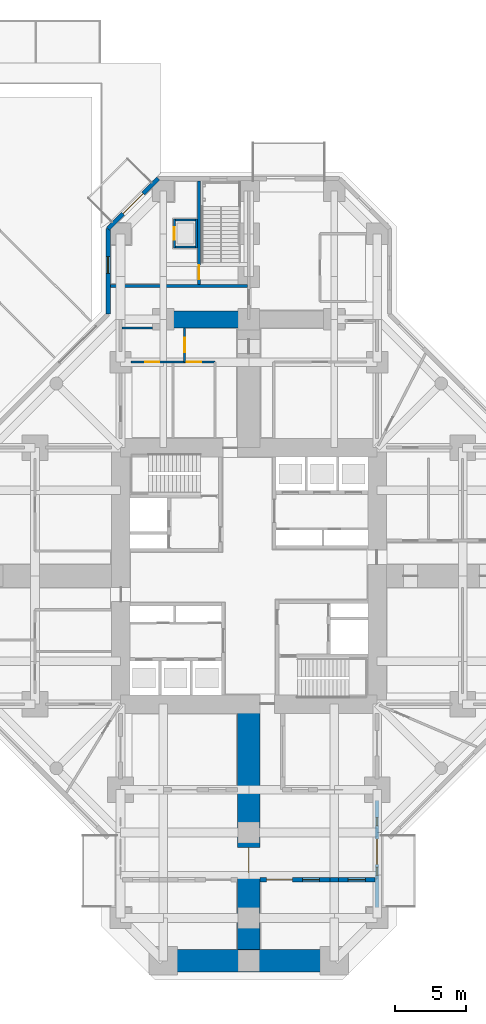
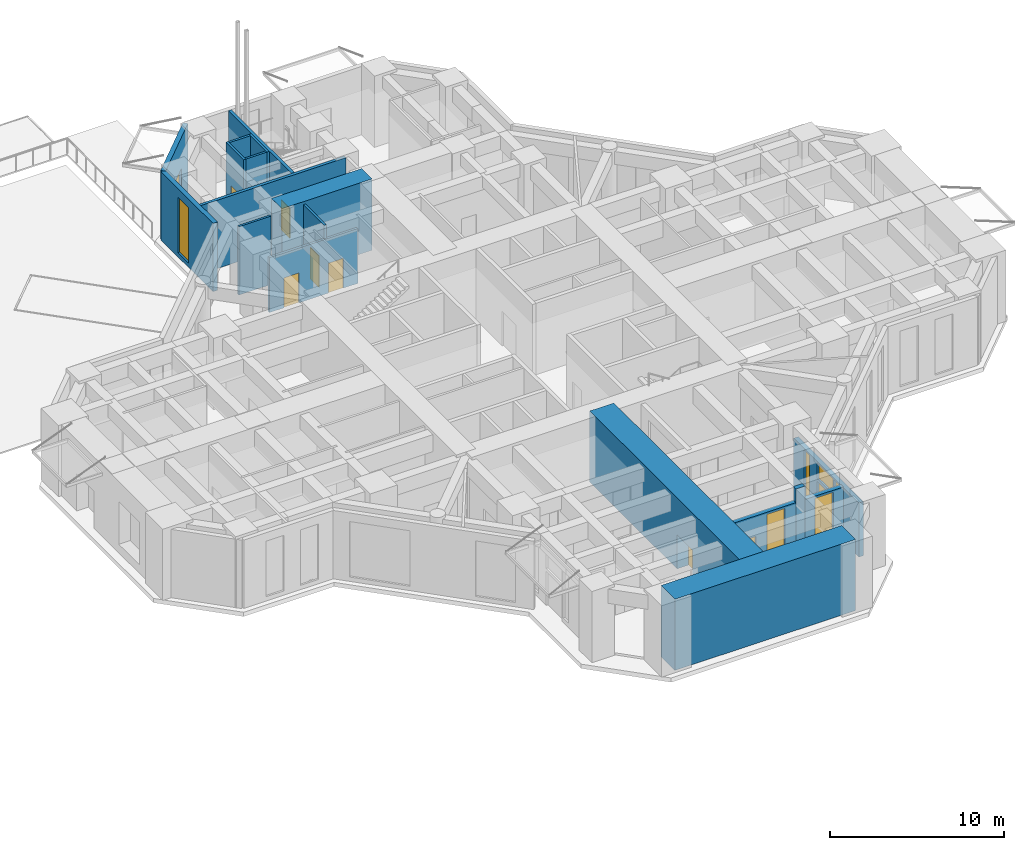
# One storey, part 7 of 14: 18 walls, 9 doors, 6 windows, 15 openings.
"""IFC4 building model written with IfcOpenShell, lengths in metres."""

from ifc_helpers import new_model, si_unit, direction, frame, frame_2d, origin, place, context, subcontext, project, spatial, rectangle, hollow_rectangle, extrude, material, layer, layer_set, constituent, constituent_set, type_object, element, fill, save


model = new_model("IFC4")

# Units and contexts
model_context = context("Model", 3, precision=1e-05, world=origin(), true_north=direction((0.0, 1.0)))
body_context = subcontext(model_context, "Body", "Model", "MODEL_VIEW")
ifc_project = project(units=[si_unit("LENGTHUNIT", "METRE"), si_unit("AREAUNIT", "SQUARE_METRE"), si_unit("VOLUMEUNIT", "CUBIC_METRE"), si_unit("PLANEANGLEUNIT", "RADIAN"), si_unit("MASSUNIT", "GRAM", prefix="KILO")], contexts=[model_context])

# Site, building, storey
site_placement = place(None, origin())
site = spatial("IfcSite", under=ifc_project, at=site_placement, CompositionType="ELEMENT")
building_placement = place(site_placement, origin())
building = spatial("IfcBuilding", under=site, at=building_placement, Name="Torre Cruceta", CompositionType="ELEMENT")
storey_placement = place(building_placement, origin())
storey = spatial("IfcBuildingStorey", under=building, at=storey_placement, Name="L00", CompositionType="ELEMENT", Elevation=0.0)

# Wall, openings, door, window
ifc_material_1 = material(Name="Concrete G30 (fck 30 MPa)", Category="concrete")
ifc_layer_1 = layer(ifc_material_1, 0.300048828125)
ifc_layer_set_1 = layer_set([ifc_layer_1], Name="Concrete G30 (fck 30 MPa)")
wall_type_1 = type_object("IfcWallType", Name="CONCOURSE FRONT WALL 300", PredefinedType="SOLIDWALL", material=ifc_layer_set_1)
wall_1_placement = place(storey_placement, frame((0.800048828125, -21.320068359375, 0.0), z_axis=(0.0, 0.0, 1.0), x_axis=(1.0, 0.0, 0.0)))
wall_1 = element("IfcWall", 1, at=wall_1_placement, inside=storey, type_object=wall_type_1, Name="EW3 L00-S-TWL", PredefinedType="SOLIDWALL", context=body_context, shape_type="SweptSolid", body=[
    extrude(rectangle(XDim=4.89990234375, YDim=0.300048828125, at=frame_2d((2.449951171875, 0.0))), origin(), (0.0, 0.0, 1.0), 3.85009765625),
])
opening_1_placement = place(wall_1_placement, frame((0.449951171875, 0.0, 0.0)))
opening_1 = element("IfcOpeningElement", 2, at=opening_1_placement, cuts=wall_1, Name="Opening D13", PredefinedType="OPENING", context=body_context, shape_type="SweptSolid", body=[
    extrude(rectangle(XDim=1.800048828125, YDim=2.39990234375, at=frame_2d((0.89990234375, 1.199951171875))), frame((0.0, 0.159912109375, 0.0), z_axis=(0.0, -1.0, 0.0), x_axis=(1.0, 0.0, 0.0)), (0.0, 0.0, 1.0), 0.320068359375),
])
opening_2_placement = place(wall_1_placement, frame((2.97509765625, 0.0, 0.300048828125)))
opening_2 = element("IfcOpeningElement", 3, at=opening_2_placement, cuts=wall_1, Name="Opening SF6", PredefinedType="OPENING", context=body_context, shape_type="SweptSolid", body=[
    extrude(rectangle(XDim=1.199951171875, YDim=3.39990234375, at=frame_2d((0.60009765625, 1.699951171875))), frame((0.0, 0.159912109375, 0.0), z_axis=(0.0, -1.0, 0.0), x_axis=(1.0, 0.0, 0.0)), (0.0, 0.0, 1.0), 0.320068359375),
])
ifc_material_2 = material(Name="Aluminium 6063-T6", Category="aluminium")
ifc_constituent_1 = constituent(ifc_material_2, Name="Frame")
ifc_material_3 = material(Name="Laminated safety glass", Category="glass")
ifc_constituent_2 = constituent(ifc_material_3, Name="Glazing")
ifc_constituent_set_1 = constituent_set(constituents=[ifc_constituent_1, ifc_constituent_2], Name="Aluminium glazed door")
door_type_1 = type_object("IfcDoorType", Name="CONCOURSE ENTRANCE DOOR 1800X2400", OperationType="DOUBLE_DOOR_DOUBLE_SWING", PredefinedType="DOOR", material=ifc_constituent_set_1)
door_1_placement = place(opening_1_placement, origin())
door_1 = element("IfcDoor", 4, at=door_1_placement, inside=storey, type_object=door_type_1, Name="D13 L00-S-TWL-D1", OperationType="DOUBLE_DOOR_DOUBLE_SWING", OverallHeight=2.39990234375, OverallWidth=1.800048828125, PredefinedType="DOOR", context=body_context, shape_type="SweptSolid", body=[
    extrude(hollow_rectangle(XDim=1.800048828125, YDim=2.39990234375, WallThickness=0.06005859375, at=frame_2d((0.89990234375, 1.199951171875))), frame((0.0, 0.02490234375, 0.0), z_axis=(0.0, -1.0, 0.0), x_axis=(1.0, 0.0, 0.0)), (0.0, 0.0, 1.0), 0.050048828125),
    extrude(rectangle(XDim=1.678955078125, YDim=2.27880859375, at=frame_2d((0.89990234375, 1.199951171875))), frame((0.0, 0.02490234375, 0.0), z_axis=(0.0, -1.0, 0.0), x_axis=(1.0, 0.0, 0.0)), (0.0, 0.0, 1.0), 0.050048828125),
])
fill(opening_1, door_1)
ifc_material_4 = material(Name="Aluminium window frame", Category="aluminium")
ifc_constituent_3 = constituent(ifc_material_4, Name="Frame")
ifc_material_5 = material(Name="Laminated insulating glass unit, low-iron clear", Category="glass")
ifc_constituent_4 = constituent(ifc_material_5, Name="Glazing")
ifc_constituent_set_2 = constituent_set(constituents=[ifc_constituent_3, ifc_constituent_4], Name="Aluminium window")
window_type_1 = type_object("IfcWindowType", Name="SHOPFRONT WINDOW 1200X3400", PartitioningType="SINGLE_PANEL", PredefinedType="WINDOW", material=ifc_constituent_set_2)
window_1_placement = place(opening_2_placement, origin())
window_1 = element("IfcWindow", 5, at=window_1_placement, inside=storey, type_object=window_type_1, Name="SF6 L00 L00-S-TWL 1", OverallHeight=3.39990234375, OverallWidth=1.199951171875, PartitioningType="SINGLE_PANEL", PredefinedType="WINDOW", context=body_context, shape_type="SweptSolid", body=[
    extrude(hollow_rectangle(XDim=1.199951171875, YDim=3.39990234375, WallThickness=0.06005859375, at=frame_2d((0.60009765625, 1.699951171875))), frame((0.0, 0.030029296875, 0.0), z_axis=(0.0, -1.0, 0.0), x_axis=(1.0, 0.0, 0.0)), (0.0, 0.0, 1.0), 0.06005859375),
    extrude(rectangle(XDim=1.078857421875, YDim=3.27880859375, at=frame_2d((0.60009765625, 1.699951171875))), frame((0.0, 0.030029296875, 0.0), z_axis=(0.0, -1.0, 0.0), x_axis=(1.0, 0.0, 0.0)), (0.0, 0.0, 1.0), 0.06005859375),
])
fill(opening_2, window_1)

# Wall
wall_2_placement = place(storey_placement, frame((5.699951171875, -21.320068359375, 0.0), z_axis=(0.0, 0.0, 1.0), x_axis=(1.0, 0.0, 0.0)))
element("IfcWall", 6, at=wall_2_placement, inside=storey, type_object=wall_type_1, Name="EW3 L00-S-TWL 2", PredefinedType="SOLIDWALL", context=body_context, shape_type="SweptSolid", body=[
    extrude(rectangle(XDim=0.60009765625, YDim=0.300048828125, at=frame_2d((0.300048828125, 0.0))), origin(), (0.0, 0.0, 1.0), 4.800048828125),
])

# Wall, opening, window
wall_3_placement = place(storey_placement, frame((6.300048828125, -21.320068359375, 0.0), z_axis=(0.0, 0.0, 1.0), x_axis=(1.0, 0.0, 0.0)))
wall_3 = element("IfcWall", 7, at=wall_3_placement, inside=storey, type_object=wall_type_1, Name="EW3 L00-S-TWL 3", PredefinedType="SOLIDWALL", context=body_context, shape_type="SweptSolid", body=[
    extrude(rectangle(XDim=2.550048828125, YDim=0.300048828125, at=frame_2d((1.27490234375, 0.0))), origin(), (0.0, 0.0, 1.0), 3.85009765625),
])
opening_3_placement = place(wall_3_placement, frame((0.675048828125, 0.0, 0.300048828125)))
opening_3 = element("IfcOpeningElement", 8, at=opening_3_placement, cuts=wall_3, Name="Opening SF6", PredefinedType="OPENING", context=body_context, shape_type="SweptSolid", body=[
    extrude(rectangle(XDim=1.199951171875, YDim=3.39990234375, at=frame_2d((0.60009765625, 1.699951171875))), frame((0.0, 0.159912109375, 0.0), z_axis=(0.0, -1.0, 0.0), x_axis=(1.0, 0.0, 0.0)), (0.0, 0.0, 1.0), 0.320068359375),
])
window_2_placement = place(opening_3_placement, origin())
window_2 = element("IfcWindow", 9, at=window_2_placement, inside=storey, type_object=window_type_1, Name="SF6 L00 L00-S-TWL-S3 1", OverallHeight=3.39990234375, OverallWidth=1.199951171875, PartitioningType="SINGLE_PANEL", PredefinedType="WINDOW", context=body_context, shape_type="SweptSolid", body=[
    extrude(hollow_rectangle(XDim=1.199951171875, YDim=3.39990234375, WallThickness=0.06005859375, at=frame_2d((0.60009765625, 1.699951171875))), frame((0.0, 0.030029296875, 0.0), z_axis=(0.0, -1.0, 0.0), x_axis=(1.0, 0.0, 0.0)), (0.0, 0.0, 1.0), 0.06005859375),
    extrude(rectangle(XDim=1.078857421875, YDim=3.27880859375, at=frame_2d((0.60009765625, 1.699951171875))), frame((0.0, 0.030029296875, 0.0), z_axis=(0.0, -1.0, 0.0), x_axis=(1.0, 0.0, 0.0)), (0.0, 0.0, 1.0), 0.06005859375),
])
fill(opening_3, window_2)

# Wall, openings, door, windows
wall_4_placement = place(storey_placement, frame((9.0, -15.75, 0.0), z_axis=(0.0, 0.0, 1.0), x_axis=(0.0, -1.0, 0.0)))
wall_4 = element("IfcWall", 10, at=wall_4_placement, inside=storey, type_object=wall_type_1, Name="EW3 L00-WING-S-A2", PredefinedType="SOLIDWALL", context=body_context, shape_type="SweptSolid", body=[
    extrude(rectangle(XDim=7.5, YDim=0.300048828125, at=frame_2d((3.75, 0.0))), origin(), (0.0, 0.0, 1.0), 3.800048828125),
])
opening_4_placement = place(wall_4_placement, frame((2.699951171875, 0.0, 0.0)))
opening_4 = element("IfcOpeningElement", 11, at=opening_4_placement, cuts=wall_4, Name="Opening D13", PredefinedType="OPENING", context=body_context, shape_type="SweptSolid", body=[
    extrude(rectangle(XDim=1.800048828125, YDim=2.39990234375, at=frame_2d((0.89990234375, 1.199951171875))), frame((0.0, 0.159912109375, 0.0), z_axis=(0.0, -1.0, 0.0), x_axis=(1.0, 0.0, 0.0)), (0.0, 0.0, 1.0), 0.320068359375),
])
opening_5_placement = place(wall_4_placement, frame((1.21240234375, 0.0, 0.300048828125)))
opening_5 = element("IfcOpeningElement", 12, at=opening_5_placement, cuts=wall_4, Name="Opening SF4", PredefinedType="OPENING", context=body_context, shape_type="SweptSolid", body=[
    extrude(rectangle(XDim=0.60009765625, YDim=3.39990234375, at=frame_2d((0.300048828125, 1.699951171875))), frame((0.0, 0.159912109375, 0.0), z_axis=(0.0, -1.0, 0.0), x_axis=(1.0, 0.0, 0.0)), (0.0, 0.0, 1.0), 0.320068359375),
])
opening_6_placement = place(wall_4_placement, frame((4.659912109375, 0.0, 0.300048828125)))
opening_6 = element("IfcOpeningElement", 13, at=opening_6_placement, cuts=wall_4, Name="Opening SF4", PredefinedType="OPENING", context=body_context, shape_type="SweptSolid", body=[
    extrude(rectangle(XDim=0.60009765625, YDim=3.39990234375, at=frame_2d((0.300048828125, 1.699951171875))), frame((0.0, 0.159912109375, 0.0), z_axis=(0.0, -1.0, 0.0), x_axis=(1.0, 0.0, 0.0)), (0.0, 0.0, 1.0), 0.320068359375),
])
opening_7_placement = place(wall_4_placement, frame((2.699951171875, 0.0, 2.60009765625)))
opening_7 = element("IfcOpeningElement", 14, at=opening_7_placement, cuts=wall_4, Name="Opening SF5", PredefinedType="OPENING", context=body_context, shape_type="SweptSolid", body=[
    extrude(rectangle(XDim=1.800048828125, YDim=1.10009765625, at=frame_2d((0.89990234375, 0.550048828125))), frame((0.0, 0.159912109375, 0.0), z_axis=(0.0, -1.0, 0.0), x_axis=(1.0, 0.0, 0.0)), (0.0, 0.0, 1.0), 0.320068359375),
])
door_2_placement = place(opening_4_placement, origin())
door_2 = element("IfcDoor", 15, at=door_2_placement, inside=storey, type_object=door_type_1, Name="D13 L00-WING-S-A2-D1", OperationType="DOUBLE_DOOR_DOUBLE_SWING", OverallHeight=2.39990234375, OverallWidth=1.800048828125, PredefinedType="DOOR", context=body_context, shape_type="SweptSolid", body=[
    extrude(hollow_rectangle(XDim=1.800048828125, YDim=2.39990234375, WallThickness=0.06005859375, at=frame_2d((0.89990234375, 1.199951171875))), frame((0.0, 0.02490234375, 0.0), z_axis=(0.0, -1.0, 0.0), x_axis=(1.0, 0.0, 0.0)), (0.0, 0.0, 1.0), 0.050048828125),
    extrude(rectangle(XDim=1.678955078125, YDim=2.27880859375, at=frame_2d((0.89990234375, 1.199951171875))), frame((0.0, 0.02490234375, 0.0), z_axis=(0.0, -1.0, 0.0), x_axis=(1.0, 0.0, 0.0)), (0.0, 0.0, 1.0), 0.050048828125),
])
fill(opening_4, door_2)
ifc_material_6 = material(Name="Aluminium window frame", Category="aluminium")
ifc_constituent_5 = constituent(ifc_material_6, Name="Frame")
ifc_material_7 = material(Name="Laminated insulating glass unit, low-iron clear", Category="glass")
ifc_constituent_6 = constituent(ifc_material_7, Name="Glazing")
ifc_constituent_set_3 = constituent_set(constituents=[ifc_constituent_5, ifc_constituent_6], Name="Aluminium window")
window_type_2 = type_object("IfcWindowType", Name="SHOPFRONT SIDELIGHT 600X3400", PartitioningType="SINGLE_PANEL", PredefinedType="WINDOW", material=ifc_constituent_set_3)
window_3_placement = place(opening_5_placement, origin())
window_3 = element("IfcWindow", 16, at=window_3_placement, inside=storey, type_object=window_type_2, Name="SF4 L00 L00-WING-S-A2 1", OverallHeight=3.39990234375, OverallWidth=0.60009765625, PartitioningType="SINGLE_PANEL", PredefinedType="WINDOW", context=body_context, shape_type="SweptSolid", body=[
    extrude(hollow_rectangle(XDim=0.60009765625, YDim=3.39990234375, WallThickness=0.06005859375, at=frame_2d((0.300048828125, 1.699951171875))), frame((0.0, 0.030029296875, 0.0), z_axis=(0.0, -1.0, 0.0), x_axis=(1.0, 0.0, 0.0)), (0.0, 0.0, 1.0), 0.06005859375),
    extrude(rectangle(XDim=0.47900390625, YDim=3.27880859375, at=frame_2d((0.300048828125, 1.699951171875))), frame((0.0, 0.030029296875, 0.0), z_axis=(0.0, -1.0, 0.0), x_axis=(1.0, 0.0, 0.0)), (0.0, 0.0, 1.0), 0.06005859375),
])
fill(opening_5, window_3)
window_4_placement = place(opening_6_placement, origin())
window_4 = element("IfcWindow", 17, at=window_4_placement, inside=storey, type_object=window_type_2, Name="SF4 L00 L00-WING-S-A2 2", OverallHeight=3.39990234375, OverallWidth=0.60009765625, PartitioningType="SINGLE_PANEL", PredefinedType="WINDOW", context=body_context, shape_type="SweptSolid", body=[
    extrude(hollow_rectangle(XDim=0.60009765625, YDim=3.39990234375, WallThickness=0.06005859375, at=frame_2d((0.300048828125, 1.699951171875))), frame((0.0, 0.030029296875, 0.0), z_axis=(0.0, -1.0, 0.0), x_axis=(1.0, 0.0, 0.0)), (0.0, 0.0, 1.0), 0.06005859375),
    extrude(rectangle(XDim=0.47900390625, YDim=3.27880859375, at=frame_2d((0.300048828125, 1.699951171875))), frame((0.0, 0.030029296875, 0.0), z_axis=(0.0, -1.0, 0.0), x_axis=(1.0, 0.0, 0.0)), (0.0, 0.0, 1.0), 0.06005859375),
])
fill(opening_6, window_4)
ifc_material_8 = material(Name="Aluminium window frame", Category="aluminium")
ifc_constituent_7 = constituent(ifc_material_8, Name="Frame")
ifc_material_9 = material(Name="Laminated insulating glass unit, low-iron clear", Category="glass")
ifc_constituent_8 = constituent(ifc_material_9, Name="Glazing")
ifc_constituent_set_4 = constituent_set(constituents=[ifc_constituent_7, ifc_constituent_8], Name="Aluminium window")
window_type_3 = type_object("IfcWindowType", Name="SHOPFRONT TRANSOM LIGHT 1800X1100", PartitioningType="SINGLE_PANEL", PredefinedType="WINDOW", material=ifc_constituent_set_4)
window_5_placement = place(opening_7_placement, origin())
window_5 = element("IfcWindow", 18, at=window_5_placement, inside=storey, type_object=window_type_3, Name="SF5 L00 L00-WING-S-A2 3", OverallHeight=1.10009765625, OverallWidth=1.800048828125, PartitioningType="SINGLE_PANEL", PredefinedType="WINDOW", context=body_context, shape_type="SweptSolid", body=[
    extrude(hollow_rectangle(XDim=1.800048828125, YDim=1.10009765625, WallThickness=0.06005859375, at=frame_2d((0.89990234375, 0.550048828125))), frame((0.0, 0.030029296875, 0.0), z_axis=(0.0, -1.0, 0.0), x_axis=(1.0, 0.0, 0.0)), (0.0, 0.0, 1.0), 0.06005859375),
    extrude(rectangle(XDim=1.678955078125, YDim=0.97900390625, at=frame_2d((0.89990234375, 0.550048828125))), frame((0.0, 0.030029296875, 0.0), z_axis=(0.0, -1.0, 0.0), x_axis=(1.0, 0.0, 0.0)), (0.0, 0.0, 1.0), 0.06005859375),
])
fill(opening_7, window_5)

# Wall
ifc_material_10 = material(Name="Concrete G60 (fck 60 MPa)", Category="concrete")
ifc_layer_2 = layer(ifc_material_10, 1.199951171875)
ifc_layer_set_2 = layer_set([ifc_layer_2], Name="Concrete G60 (fck 60 MPa)")
wall_type_2 = type_object("IfcWallType", Name="CROSS WALL 1200 G60", PredefinedType="SHEAR", material=ifc_layer_set_2)
wall_5_placement = place(storey_placement, frame((0.0, 18.0, 0.0), z_axis=(0.0, 0.0, 1.0), x_axis=(-1.0, 0.0, 0.0)))
element("IfcWall", 19, at=wall_5_placement, inside=storey, type_object=wall_type_2, Name="XW1 cross wall L00 N L", PredefinedType="SHEAR", context=body_context, shape_type="SweptSolid", body=[
    extrude(rectangle(XDim=6.0, YDim=1.199951171875, at=frame_2d((3.0, 0.0))), origin(), (0.0, 0.0, 1.0), 5.0),
])

# Wall, opening, door
ifc_material_11 = material(Name="Concrete G30 (fck 30 MPa)", Category="concrete")
ifc_layer_3 = layer(ifc_material_11, 0.300048828125)
ifc_layer_set_3 = layer_set([ifc_layer_3], Name="Concrete G30 (fck 30 MPa)")
wall_type_3 = type_object("IfcWallType", Name="EXPOSED CONCRETE FACADE WALL 300", PredefinedType="SOLIDWALL", material=ifc_layer_set_3)
wall_6_placement = place(storey_placement, frame((-6.3603515625, 27.8701171875, 0.0), z_axis=(0.0, 0.0, 1.0), x_axis=(-0.707106781187, -0.707106781187, 0.0)))
wall_6 = element("IfcWall", 20, at=wall_6_placement, inside=storey, type_object=wall_type_3, Name="EW1 facade wall L00 N chamfer 09", PredefinedType="SOLIDWALL", context=body_context, shape_type="SweptSolid", body=[
    extrude(rectangle(XDim=4.963623046875, YDim=0.300048828125, at=frame_2d((2.48193359375, 0.0))), origin(), (0.0, 0.0, 1.0), 4.800048828125),
])
opening_8_placement = place(wall_6_placement, frame((1.481689453125, 0.0, 0.0)))
opening_8 = element("IfcOpeningElement", 21, at=opening_8_placement, cuts=wall_6, Name="Opening D9", PredefinedType="OPENING", context=body_context, shape_type="SweptSolid", body=[
    extrude(rectangle(XDim=2.0, YDim=2.60009765625, at=frame_2d((1.0, 1.300048828125))), frame((0.0, 0.159912109375, 0.0), z_axis=(0.0, -1.0, 0.0), x_axis=(1.0, 0.0, 0.0)), (0.0, 0.0, 1.0), 0.320068359375),
])
ifc_material_12 = material(Name="Aluminium door frame", Category="aluminium")
ifc_constituent_9 = constituent(ifc_material_12, Name="Frame")
ifc_material_13 = material(Name="Laminated safety glass", Category="glass")
ifc_constituent_10 = constituent(ifc_material_13, Name="Glazing")
ifc_constituent_set_5 = constituent_set(constituents=[ifc_constituent_9, ifc_constituent_10], Name="Aluminium glazed door")
door_type_2 = type_object("IfcDoorType", Name="ENTRANCE DOUBLE DOOR 2000X2600", OperationType="DOUBLE_DOOR_DOUBLE_SWING", PredefinedType="DOOR", material=ifc_constituent_set_5)
door_3_placement = place(opening_8_placement, origin())
door_3 = element("IfcDoor", 22, at=door_3_placement, inside=storey, type_object=door_type_2, Name="D9 school entrance double door L00 N", OperationType="DOUBLE_DOOR_DOUBLE_SWING", OverallHeight=2.60009765625, OverallWidth=2.0, PredefinedType="DOOR", context=body_context, shape_type="SweptSolid", body=[
    extrude(hollow_rectangle(XDim=2.0, YDim=2.60009765625, WallThickness=0.06005859375, at=frame_2d((1.0, 1.300048828125))), frame((0.0, 0.02490234375, 0.0), z_axis=(0.0, -1.0, 0.0), x_axis=(1.0, 0.0, 0.0)), (0.0, 0.0, 1.0), 0.050048828125),
    extrude(rectangle(XDim=1.87890625, YDim=2.47900390625, at=frame_2d((1.0, 1.300048828125))), frame((0.0, 0.02490234375, 0.0), z_axis=(0.0, -1.0, 0.0), x_axis=(1.0, 0.0, 0.0)), (0.0, 0.0, 1.0), 0.050048828125),
])
fill(opening_8, door_3)

# Wall, opening, window
wall_7_placement = place(storey_placement, frame((-9.8701171875, 24.3603515625, 0.0), z_axis=(0.0, 0.0, 1.0), x_axis=(0.0, -1.0, 0.0)))
wall_7 = element("IfcWall", 23, at=wall_7_placement, inside=storey, type_object=wall_type_3, Name="EW1 facade wall L00 N side 10", PredefinedType="SOLIDWALL", context=body_context, shape_type="SweptSolid", body=[
    extrude(rectangle(XDim=6.0, YDim=0.300048828125, at=frame_2d((3.0, 0.0))), origin(), (0.0, 0.0, 1.0), 4.800048828125),
])
opening_9_placement = place(wall_7_placement, frame((1.96044921875, 0.0, 0.300048828125)))
opening_9 = element("IfcOpeningElement", 24, at=opening_9_placement, cuts=wall_7, Name="Opening SF3", PredefinedType="OPENING", context=body_context, shape_type="SweptSolid", body=[
    extrude(rectangle(XDim=1.199951171875, YDim=3.89990234375, at=frame_2d((0.60009765625, 1.949951171875))), frame((0.0, 0.159912109375, 0.0), z_axis=(0.0, -1.0, 0.0), x_axis=(1.0, 0.0, 0.0)), (0.0, 0.0, 1.0), 0.320068359375),
])
ifc_material_14 = material(Name="Aluminium window frame", Category="aluminium")
ifc_constituent_11 = constituent(ifc_material_14, Name="Frame")
ifc_material_15 = material(Name="Laminated insulating glass unit, low-iron clear", Category="glass")
ifc_constituent_12 = constituent(ifc_material_15, Name="Glazing")
ifc_constituent_set_6 = constituent_set(constituents=[ifc_constituent_11, ifc_constituent_12], Name="Aluminium window")
window_type_4 = type_object("IfcWindowType", Name="SHOPFRONT WINDOW 1200X3900", PartitioningType="SINGLE_PANEL", PredefinedType="WINDOW", material=ifc_constituent_set_6)
window_6_placement = place(opening_9_placement, origin())
window_6 = element("IfcWindow", 25, at=window_6_placement, inside=storey, type_object=window_type_4, Name="SF3 L00 N 1", OverallHeight=3.89990234375, OverallWidth=1.199951171875, PartitioningType="SINGLE_PANEL", PredefinedType="WINDOW", context=body_context, shape_type="SweptSolid", body=[
    extrude(hollow_rectangle(XDim=1.199951171875, YDim=3.89990234375, WallThickness=0.06005859375, at=frame_2d((0.60009765625, 1.949951171875))), frame((0.0, 0.030029296875, 0.0), z_axis=(0.0, -1.0, 0.0), x_axis=(1.0, 0.0, 0.0)), (0.0, 0.0, 1.0), 0.06005859375),
    extrude(rectangle(XDim=1.078857421875, YDim=3.77880859375, at=frame_2d((0.60009765625, 1.949951171875))), frame((0.0, 0.030029296875, 0.0), z_axis=(0.0, -1.0, 0.0), x_axis=(1.0, 0.0, 0.0)), (0.0, 0.0, 1.0), 0.06005859375),
])
fill(opening_9, window_6)

# Wall
ifc_material_16 = material(Name="Concrete block masonry", Category="masonry")
ifc_layer_4 = layer(ifc_material_16, 0.14990234375)
ifc_layer_set_4 = layer_set([ifc_layer_4], Name="Concrete block masonry")
wall_type_4 = type_object("IfcWallType", Name="LIFT SHAFT WALL 150", PredefinedType="PARTITIONING", material=ifc_layer_set_4)
wall_8_placement = place(storey_placement, frame((-3.675048828125, 23.0, 0.0), z_axis=(0.0, 0.0, 1.0), x_axis=(0.0, 1.0, 0.0)))
element("IfcWall", 26, at=wall_8_placement, inside=storey, type_object=wall_type_4, Name="PT7 L00-N-LS1A", PredefinedType="PARTITIONING", context=body_context, shape_type="SweptSolid", body=[
    extrude(rectangle(XDim=2.050048828125, YDim=0.14990234375, at=frame_2d((1.02490234375, 0.0))), origin(), (0.0, 0.0, 1.0), 4.800048828125),
])

# Wall, opening, door
wall_9_placement = place(storey_placement, frame((-5.22509765625, 23.0, 0.0), z_axis=(0.0, 0.0, 1.0), x_axis=(0.0, 1.0, 0.0)))
wall_9 = element("IfcWall", 27, at=wall_9_placement, inside=storey, type_object=wall_type_4, Name="PT7 L00-N-LS1B", PredefinedType="PARTITIONING", context=body_context, shape_type="SweptSolid", body=[
    extrude(rectangle(XDim=2.050048828125, YDim=0.14990234375, at=frame_2d((1.02490234375, 0.0))), origin(), (0.0, 0.0, 1.0), 4.800048828125),
])
opening_10_placement = place(wall_9_placement, frame((0.574951171875, 0.0, 0.0)))
opening_10 = element("IfcOpeningElement", 28, at=opening_10_placement, cuts=wall_9, Name="Opening LD2", PredefinedType="OPENING", context=body_context, shape_type="SweptSolid", body=[
    extrude(rectangle(XDim=0.89990234375, YDim=2.10009765625, at=frame_2d((0.449951171875, 1.050048828125))), frame((0.0, 0.0849609375, 0.0), z_axis=(0.0, -1.0, 0.0), x_axis=(1.0, 0.0, 0.0)), (0.0, 0.0, 1.0), 0.169921875),
])
ifc_material_17 = material(Name="Stainless steel 1.4401", Category="steel")
door_type_3 = type_object("IfcDoorType", Name="PLATFORM LIFT LANDING DOOR 900X2100", OperationType="DOUBLE_DOOR_SLIDING", PredefinedType="DOOR", material=ifc_material_17)
door_4_placement = place(opening_10_placement, origin())
door_4 = element("IfcDoor", 29, at=door_4_placement, inside=storey, type_object=door_type_3, Name="LD2 L00-N-LS1B-D1", OperationType="DOUBLE_DOOR_SLIDING", OverallHeight=2.10009765625, OverallWidth=0.89990234375, PredefinedType="DOOR", context=body_context, shape_type="SweptSolid", body=[
    extrude(rectangle(XDim=0.89990234375, YDim=2.10009765625, at=frame_2d((0.449951171875, 1.050048828125))), frame((0.0, 0.02490234375, 0.0), z_axis=(0.0, -1.0, 0.0), x_axis=(1.0, 0.0, 0.0)), (0.0, 0.0, 1.0), 0.050048828125),
])
fill(opening_10, door_4)

# Walls
for number, where, z_axis, x_axis, name in (
    (30, (-3.75, 23.074951171875, 0.0), (0.0, 0.0, 1.0), (-1.0, 0.0, 0.0), "PT7 L00-N-LS1C"),
    (31, (-3.75, 24.97509765625, 0.0), (0.0, 0.0, 1.0), (-1.0, 0.0, 0.0), "PT7 L00-N-LS1D"),
):
    element("IfcWall", number, at=place(storey_placement, frame(where, z_axis=z_axis, x_axis=x_axis)), inside=storey, type_object=wall_type_4, Name=name, PredefinedType="PARTITIONING", context=body_context, shape_type="SweptSolid", body=[
        extrude(rectangle(XDim=1.39990234375, YDim=0.14990234375, at=frame_2d((0.699951171875, 0.0))), origin(), (0.0, 0.0, 1.0), 4.800048828125),
    ])
ifc_material_18 = material(Name="Concrete G60 (fck 60 MPa)", Category="concrete")
ifc_layer_5 = layer(ifc_material_18, 1.60009765625)
ifc_layer_set_5 = layer_set([ifc_layer_5], Name="Concrete G60 (fck 60 MPa)")
wall_type_5 = type_object("IfcWallType", Name="NOSE WALL 1600 G60", PredefinedType="SHEAR", material=ifc_layer_set_5)
wall_10_placement = place(storey_placement, frame((-6.0, -27.0, 0.0), z_axis=(0.0, 0.0, 1.0), x_axis=(1.0, 0.0, 0.0)))
element("IfcWall", 32, at=wall_10_placement, inside=storey, type_object=wall_type_5, Name="NW0 nose wall L00 S", PredefinedType="SHEAR", context=body_context, shape_type="SweptSolid", body=[
    extrude(rectangle(XDim=12.0, YDim=1.60009765625, at=frame_2d((6.0, 0.0))), origin(), (0.0, 0.0, 1.0), 5.0),
])

# Wall, openings, doors
ifc_material_19 = material(Name="Plasterboard on steel studs", Category="steel")
ifc_layer_6 = layer(ifc_material_19, 0.14990234375)
ifc_layer_set_6 = layer_set([ifc_layer_6], Name="Plasterboard on steel studs")
wall_type_6 = type_object("IfcWallType", Name="PARTITION 150", PredefinedType="PARTITIONING", material=ifc_layer_set_6)
wall_11_placement = place(storey_placement, frame((-2.375, 15.0, 0.0), z_axis=(0.0, 0.0, 1.0), x_axis=(-1.0, 0.0, 0.0)))
wall_11 = element("IfcWall", 33, at=wall_11_placement, inside=storey, type_object=wall_type_6, Name="PT1 L00-N-BFL", PredefinedType="PARTITIONING", context=body_context, shape_type="SweptSolid", body=[
    extrude(rectangle(XDim=5.875, YDim=0.14990234375, at=frame_2d((2.9375, 0.0))), origin(), (0.0, 0.0, 1.0), 3.85009765625),
])
opening_11_placement = place(wall_11_placement, frame((0.96875, 0.0, 0.0)))
opening_11 = element("IfcOpeningElement", 34, at=opening_11_placement, cuts=wall_11, Name="Opening D3", PredefinedType="OPENING", context=body_context, shape_type="SweptSolid", body=[
    extrude(rectangle(XDim=1.0, YDim=2.10009765625, at=frame_2d((0.5, 1.050048828125))), frame((0.0, 0.0849609375, 0.0), z_axis=(0.0, -1.0, 0.0), x_axis=(1.0, 0.0, 0.0)), (0.0, 0.0, 1.0), 0.169921875),
])
opening_12_placement = place(wall_11_placement, frame((3.90625, 0.0, 0.0)))
opening_12 = element("IfcOpeningElement", 35, at=opening_12_placement, cuts=wall_11, Name="Opening D3", PredefinedType="OPENING", context=body_context, shape_type="SweptSolid", body=[
    extrude(rectangle(XDim=1.0, YDim=2.10009765625, at=frame_2d((0.5, 1.050048828125))), frame((0.0, 0.0849609375, 0.0), z_axis=(0.0, -1.0, 0.0), x_axis=(1.0, 0.0, 0.0)), (0.0, 0.0, 1.0), 0.169921875),
])
ifc_material_20 = material(Name="Steel DX51D", Category="steel")
ifc_constituent_13 = constituent(ifc_material_20, Name="Leaf and frame")
ifc_material_21 = material(Name="Polyester powder coating", Category="paint")
ifc_constituent_14 = constituent(ifc_material_21, Name="Finish")
ifc_constituent_set_7 = constituent_set(constituents=[ifc_constituent_13, ifc_constituent_14], Name="Steel fire door")
door_type_4 = type_object("IfcDoorType", Name="FIRE DOOR 1000X2100", OperationType="SINGLE_SWING_LEFT", PredefinedType="DOOR", material=ifc_constituent_set_7)
door_5_placement = place(opening_11_placement, origin())
door_5 = element("IfcDoor", 36, at=door_5_placement, inside=storey, type_object=door_type_4, Name="D3 L00-N-BFL-D1", OperationType="SINGLE_SWING_LEFT", OverallHeight=2.10009765625, OverallWidth=1.0, PredefinedType="DOOR", context=body_context, shape_type="SweptSolid", body=[
    extrude(rectangle(XDim=1.0, YDim=2.10009765625, at=frame_2d((0.5, 1.050048828125))), frame((0.0, 0.02490234375, 0.0), z_axis=(0.0, -1.0, 0.0), x_axis=(1.0, 0.0, 0.0)), (0.0, 0.0, 1.0), 0.050048828125),
])
fill(opening_11, door_5)
door_6_placement = place(opening_12_placement, frame((1.0, 0.0, 0.0), z_axis=(0.0, 0.0, 1.0), x_axis=(-1.0, 0.0, 0.0)))
door_6 = element("IfcDoor", 37, at=door_6_placement, inside=storey, type_object=door_type_4, Name="D3 L00-N-BFL-D2", OperationType="SINGLE_SWING_RIGHT", OverallHeight=2.10009765625, OverallWidth=1.0, PredefinedType="DOOR", context=body_context, shape_type="SweptSolid", body=[
    extrude(rectangle(XDim=1.0, YDim=2.10009765625, at=frame_2d((0.5, 1.050048828125))), frame((0.0, 0.025146484375, 0.0), z_axis=(0.0, -1.0, 0.0), x_axis=(1.0, 0.0, 0.0)), (0.0, 0.0, 1.0), 0.050048828125),
])
fill(opening_12, door_6)

# Wall, opening, door
wall_12_placement = place(storey_placement, frame((-4.5, 15.0, 0.0), z_axis=(0.0, 0.0, 1.0), x_axis=(0.0, 1.0, 0.0)))
wall_12 = element("IfcWall", 38, at=wall_12_placement, inside=storey, type_object=wall_type_6, Name="PT1 L00-N-SRW", PredefinedType="PARTITIONING", context=body_context, shape_type="SweptSolid", body=[
    extrude(rectangle(XDim=2.39990234375, YDim=0.14990234375, at=frame_2d((1.199951171875, 0.0))), origin(), (0.0, 0.0, 1.0), 4.800048828125),
])
opening_13_placement = place(wall_12_placement, frame((0.699951171875, 0.0, 0.0)))
opening_13 = element("IfcOpeningElement", 39, at=opening_13_placement, cuts=wall_12, Name="Opening D14", PredefinedType="OPENING", context=body_context, shape_type="SweptSolid", body=[
    extrude(rectangle(XDim=1.0, YDim=2.199951171875, at=frame_2d((0.5, 1.10009765625))), frame((0.0, 0.0849609375, 0.0), z_axis=(0.0, -1.0, 0.0), x_axis=(1.0, 0.0, 0.0)), (0.0, 0.0, 1.0), 0.169921875),
])
ifc_material_22 = material(Name="Steel DX51D", Category="steel")
ifc_constituent_15 = constituent(ifc_material_22, Name="Leaf and frame")
ifc_material_23 = material(Name="Polyester powder coating", Category="paint")
ifc_constituent_16 = constituent(ifc_material_23, Name="Finish")
ifc_material_24 = material(Name="Fire-resisting glass", Category="glass")
ifc_constituent_17 = constituent(ifc_material_24, Name="Vision panel")
ifc_constituent_set_8 = constituent_set(constituents=[ifc_constituent_15, ifc_constituent_16, ifc_constituent_17], Name="Steel fire door with vision panel")
door_type_5 = type_object("IfcDoorType", Name="FIRE DOOR VISION PANEL 1000X2200", OperationType="SINGLE_SWING_RIGHT", PredefinedType="DOOR", material=ifc_constituent_set_8)
door_7_placement = place(opening_13_placement, origin())
door_7 = element("IfcDoor", 40, at=door_7_placement, inside=storey, type_object=door_type_5, Name="D14 L00-N-SRW-D1", OperationType="SINGLE_SWING_LEFT", OverallHeight=2.199951171875, OverallWidth=1.0, PredefinedType="DOOR", context=body_context, shape_type="SweptSolid", body=[
    extrude(rectangle(XDim=1.0, YDim=2.199951171875, at=frame_2d((0.5, 1.10009765625))), frame((0.0, 0.02490234375, 0.0), z_axis=(0.0, -1.0, 0.0), x_axis=(1.0, 0.0, 0.0)), (0.0, 0.0, 1.0), 0.050048828125),
])
fill(opening_13, door_7)

# Wall
wall_13_placement = place(storey_placement, frame((-6.75, 17.39990234375, 0.0), z_axis=(0.0, 0.0, 1.0), x_axis=(-1.0, 0.0, 0.0)))
element("IfcWall", 41, at=wall_13_placement, inside=storey, type_object=wall_type_6, Name="PT1 L00-N-SRN", PredefinedType="PARTITIONING", context=body_context, shape_type="SweptSolid", body=[
    extrude(rectangle(XDim=2.14990234375, YDim=0.14990234375, at=frame_2d((1.074951171875, 0.0))), origin(), (0.0, 0.0, 1.0), 4.800048828125),
])

# Wall, opening, door
ifc_material_25 = material(Name="Concrete G60 (fck 60 MPa)", Category="concrete")
ifc_layer_7 = layer(ifc_material_25, 1.60009765625)
ifc_layer_set_7 = layer_set([ifc_layer_7], Name="Concrete G60 (fck 60 MPa)")
wall_type_7 = type_object("IfcWallType", Name="SPINE WALL 1600 G60", PredefinedType="SHEAR", material=ifc_layer_set_7)
wall_14_placement = place(storey_placement, frame((0.0, -9.0, 0.0), z_axis=(0.0, 0.0, 1.0), x_axis=(0.0, -1.0, 0.0)))
wall_14 = element("IfcWall", 42, at=wall_14_placement, inside=storey, type_object=wall_type_7, Name="SW2 spine wall L00 S", PredefinedType="SHEAR", context=body_context, shape_type="SweptSolid", body=[
    extrude(rectangle(XDim=18.0, YDim=1.60009765625, at=frame_2d((9.0, 0.0))), origin(), (0.0, 0.0, 1.0), 5.0),
])
opening_14_placement = place(wall_14_placement, frame((10.050048828125, 0.0, 0.0)))
opening_14 = element("IfcOpeningElement", 43, at=opening_14_placement, cuts=wall_14, Name="Opening D13", PredefinedType="OPENING", context=body_context, shape_type="SweptSolid", body=[
    extrude(rectangle(XDim=1.800048828125, YDim=2.39990234375, at=frame_2d((0.89990234375, 1.199951171875))), frame((0.0, 0.81005859375, 0.0), z_axis=(0.0, -1.0, 0.0), x_axis=(1.0, 0.0, 0.0)), (0.0, 0.0, 1.0), 1.6201171875),
])
door_8_placement = place(opening_14_placement, origin())
door_8 = element("IfcDoor", 44, at=door_8_placement, inside=storey, type_object=door_type_1, Name="D13 L00-S-SP1", OperationType="DOUBLE_DOOR_DOUBLE_SWING", OverallHeight=2.39990234375, OverallWidth=1.800048828125, PredefinedType="DOOR", context=body_context, shape_type="SweptSolid", body=[
    extrude(hollow_rectangle(XDim=1.800048828125, YDim=2.39990234375, WallThickness=0.06005859375, at=frame_2d((0.89990234375, 1.199951171875))), frame((0.0, 0.02490234375, 0.0), z_axis=(0.0, -1.0, 0.0), x_axis=(1.0, 0.0, 0.0)), (0.0, 0.0, 1.0), 0.050048828125),
    extrude(rectangle(XDim=1.678955078125, YDim=2.27880859375, at=frame_2d((0.89990234375, 1.199951171875))), frame((0.0, 0.02490234375, 0.0), z_axis=(0.0, -1.0, 0.0), x_axis=(1.0, 0.0, 0.0)), (0.0, 0.0, 1.0), 0.050048828125),
])
fill(opening_14, door_8)

# Wall
ifc_material_26 = material(Name="Concrete G25 (fck 25 MPa)", Category="concrete")
ifc_layer_8 = layer(ifc_material_26, 0.199951171875)
ifc_layer_set_8 = layer_set([ifc_layer_8], Name="Concrete G25 (fck 25 MPa)")
wall_type_8 = type_object("IfcWallType", Name="UNIT SEPARATING WALL 200", PredefinedType="SOLIDWALL", material=ifc_layer_set_8)
wall_15_placement = place(storey_placement, frame((-0.10009765625, 20.35009765625, 0.0), z_axis=(0.0, 0.0, 1.0), x_axis=(-1.0, 0.0, 0.0)))
element("IfcWall", 45, at=wall_15_placement, inside=storey, type_object=wall_type_8, Name="PT2 L00-N-SB1", PredefinedType="SOLIDWALL", context=body_context, shape_type="SweptSolid", body=[
    extrude(rectangle(XDim=9.619873046875, YDim=0.199951171875, at=frame_2d((4.81005859375, 0.0))), origin(), (0.0, 0.0, 1.0), 4.800048828125),
])

# Wall, opening, door
wall_16_placement = place(storey_placement, frame((-3.5, 20.449951171875, 0.0), z_axis=(0.0, 0.0, 1.0), x_axis=(0.0, 1.0, 0.0)))
wall_16 = element("IfcWall", 46, at=wall_16_placement, inside=storey, type_object=wall_type_8, Name="PT2 L00-N-ST3W", PredefinedType="SOLIDWALL", context=body_context, shape_type="SweptSolid", body=[
    extrude(rectangle(XDim=7.27001953125, YDim=0.199951171875, at=frame_2d((3.635009765625, 0.0))), origin(), (0.0, 0.0, 1.0), 4.800048828125),
])
opening_15_placement = place(wall_16_placement, frame((0.35009765625, 0.0, 0.0)))
opening_15 = element("IfcOpeningElement", 47, at=opening_15_placement, cuts=wall_16, Name="Opening D3", PredefinedType="OPENING", context=body_context, shape_type="SweptSolid", body=[
    extrude(rectangle(XDim=1.0, YDim=2.10009765625, at=frame_2d((0.5, 1.050048828125))), frame((0.0, 0.10986328125, 0.0), z_axis=(0.0, -1.0, 0.0), x_axis=(1.0, 0.0, 0.0)), (0.0, 0.0, 1.0), 0.219970703125),
])
door_9_placement = place(opening_15_placement, frame((1.0, 0.0, 0.0), z_axis=(0.0, 0.0, 1.0), x_axis=(-1.0, 0.0, 0.0)))
door_9 = element("IfcDoor", 48, at=door_9_placement, inside=storey, type_object=door_type_4, Name="D3 L00-N-ST3W-D1", OperationType="SINGLE_SWING_RIGHT", OverallHeight=2.10009765625, OverallWidth=1.0, PredefinedType="DOOR", context=body_context, shape_type="SweptSolid", body=[
    extrude(rectangle(XDim=1.0, YDim=2.10009765625, at=frame_2d((0.5, 1.050048828125))), frame((0.0, 0.025146484375, 0.0), z_axis=(0.0, -1.0, 0.0), x_axis=(1.0, 0.0, 0.0)), (0.0, 0.0, 1.0), 0.050048828125),
])
fill(opening_15, door_9)

save(model, "model.ifc")
